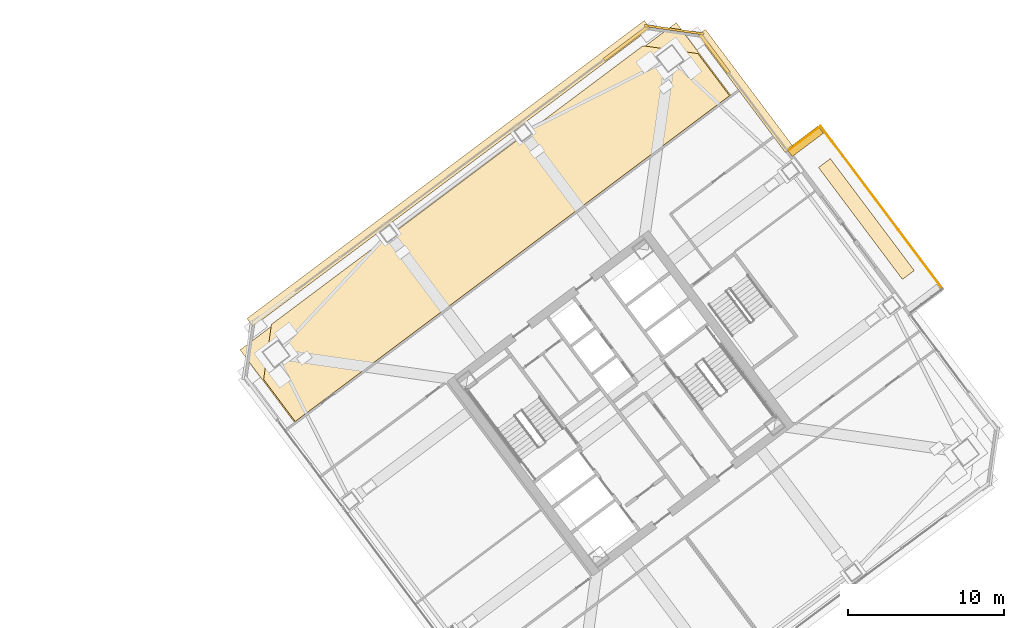
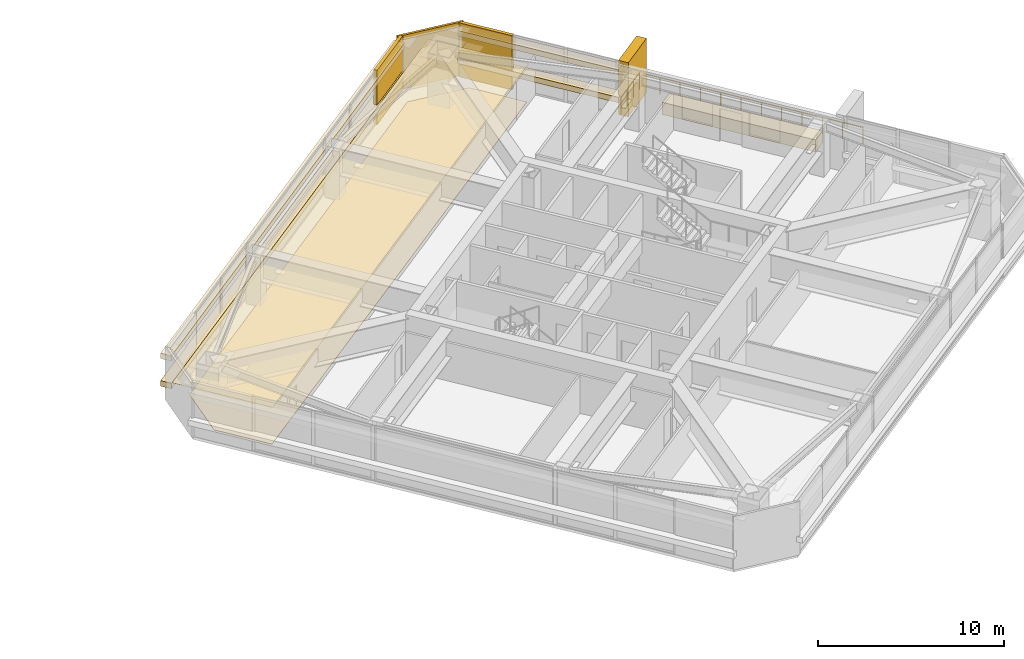
# One storey, part 42 of 42: 11 coverings, 2 railings.
"""IFC4 building model written with IfcOpenShell, lengths in metres."""

from ifc_helpers import new_model, si_unit, direction, frame, origin, origin_2d, place, context, subcontext, project, spatial, polyline, rectangle, outline, extrude, material, layer, layer_set, type_object, element, save


model = new_model("IFC4")

# Units and contexts
model_context = context("Model", 3, precision=1e-05, world=origin(), true_north=direction((0.0, 1.0)))
body_context = subcontext(model_context, "Body", "Model", "MODEL_VIEW")
ifc_project = project(units=[si_unit("LENGTHUNIT", "METRE"), si_unit("AREAUNIT", "SQUARE_METRE"), si_unit("VOLUMEUNIT", "CUBIC_METRE"), si_unit("PLANEANGLEUNIT", "RADIAN"), si_unit("MASSUNIT", "GRAM", prefix="KILO")], contexts=[model_context])

# Site, building, storey
site_placement = place(None, origin())
site = spatial("IfcSite", under=ifc_project, at=site_placement, CompositionType="ELEMENT")
building_placement = place(site_placement, origin())
building = spatial("IfcBuilding", under=site, at=building_placement, Name="Tashvorn Skyway Center", CompositionType="ELEMENT")
storey_placement = place(building_placement, frame((0.0, 0.0, 153.449951171875)))
storey = spatial("IfcBuildingStorey", under=building, at=storey_placement, Name="L41", CompositionType="ELEMENT", Elevation=153.449951171875)

# Coverings
ifc_material_1 = material(Name="Precast concrete C40/50", Category="concrete")
ifc_layer_1 = layer(ifc_material_1, 0.199951171875)
ifc_layer_set_1 = layer_set([ifc_layer_1], Name="Precast concrete C40/50")
covering_type_1 = type_object("IfcCoveringType", Name="COV-BRACE-CLAD", PredefinedType="CLADDING", material=ifc_layer_set_1)
covering_1_placement = place(storey_placement, frame((114.324462890625, 55.09326171875, 0.0), z_axis=(0.0, 0.0, 1.0), x_axis=(0.799999996291, 0.600000004945, 0.0)))
element("IfcCovering", 1, at=covering_1_placement, inside=storey, type_object=covering_type_1, Name="Tower 2 L41 North Unitised Curtain Wall Mega-Brace Cladding Band 2", PredefinedType="CLADDING", context=body_context, shape_type="SweptSolid", body=[
    extrude(rectangle(XDim=3.52880859375, YDim=0.199951171875, at=origin_2d()), origin(), (0.0, 0.0, 1.0), 3.550048828125),
])
covering_2_placement = place(storey_placement, frame((120.02392578125, 54.4345703125, 0.0), z_axis=(0.0, 0.0, 1.0), x_axis=(0.600000004945, -0.799999996291, 0.0)))
element("IfcCovering", 2, at=covering_2_placement, inside=storey, type_object=covering_type_1, Name="Tower 2 L41 East Curtain Wall L Mega-Brace Cladding Band 1", PredefinedType="CLADDING", context=body_context, shape_type="SweptSolid", body=[
    extrude(rectangle(XDim=3.09326171875, YDim=0.199951171875, at=origin_2d()), origin(), (0.0, 0.0, 1.0), 3.550048828125),
])
ifc_material_2 = material(Name="Mineral-fibre acoustic ceiling tile on suspended grid")
ifc_layer_2 = layer(ifc_material_2, 0.02001953125)
ifc_layer_set_2 = layer_set([ifc_layer_2], Name="Mineral-fibre acoustic ceiling tile on suspended grid")
covering_type_2 = type_object("IfcCoveringType", Name="COV-CEIL-20", PredefinedType="CEILING", material=ifc_layer_set_2)
covering_3_placement = place(storey_placement, frame((0.0, 0.0, 2.4931640625)))
element("IfcCovering", 3, at=covering_3_placement, inside=storey, type_object=covering_type_2, Name="Tower 2 L41 Executive Suite Acoustic Ceiling", PredefinedType="CEILING", context=body_context, shape_type="SweptSolid", body=[
    extrude(outline(polyline([(93.087890625, 30.716064453125), (121.087890625, 51.716064453125), (117.56005859375, 56.419921875), (89.56005859375, 35.419921875), (93.087890625, 30.716064453125)])), origin(), (0.0, 0.0, 1.0), 0.019775390625),
])
ifc_material_3 = material(Name="Polished Mojave desert-aggregate terrazzo and cover plate")
ifc_layer_3 = layer(ifc_material_3, 0.0400390625)
ifc_layer_set_3 = layer_set([ifc_layer_3], Name="Polished Mojave desert-aggregate terrazzo and cover plate")
covering_type_3 = type_object("IfcCoveringType", Name="COV-FLR-40", PredefinedType="FLOORING", material=ifc_layer_set_3)
covering_4_placement = place(storey_placement, origin())
element("IfcCovering", 4, at=covering_4_placement, inside=storey, type_object=covering_type_3, Name="Tower 2 L41 Executive Suite Finish Flooring", PredefinedType="FLOORING", context=body_context, shape_type="SweptSolid", body=[
    extrude(outline(polyline([(120.97607421875, 51.73193359375), (93.10400390625, 30.827880859375), (91.075927734375, 33.531982421875), (91.580078125, 37.06005859375), (115.419921875, 54.93994140625), (118.947998046875, 54.43603515625), (120.97607421875, 51.73193359375)])), origin(), (0.0, 0.0, 1.0), 0.0400390625),
])
ifc_material_4 = material(Name="Perforated ceramic-coated bronze aluminium solar screen", Category="aluminium")
ifc_layer_4 = layer(ifc_material_4, 0.85009765625)
ifc_layer_set_4 = layer_set([ifc_layer_4], Name="Perforated ceramic-coated bronze aluminium solar screen")
covering_type_4 = type_object("IfcCoveringType", Name="COV-SOLAR-BAND", PredefinedType="CLADDING", material=ifc_layer_set_4)
for number, where, z_axis, x_axis, name in (
    (5, (102.947998046875, 46.736083984375, 0.919921875), (0.0, 0.0, 1.0), (0.799999996291, 0.600000004945, 0.0), "L41 Perforated Ceramic-Metal Solar Screen Louvre Band North 1"),
    (6, (102.947998046875, 46.736083984375, 2.72021484375), (0.0, 0.0, 1.0), (0.799999996291, 0.600000004945, 0.0), "L41 Perforated Ceramic-Metal Solar Screen Louvre Band North 2"),
):
    element("IfcCovering", number, at=place(storey_placement, frame(where, z_axis=z_axis, x_axis=x_axis)), inside=storey, type_object=covering_type_4, Name=name, PredefinedType="CLADDING", context=body_context, shape_type="SweptSolid", body=[
        extrude(rectangle(XDim=31.8798828125, YDim=0.639892578125, at=origin_2d()), origin(), (0.0, 0.0, 1.0), 0.360107421875),
    ])
for number, where, z_axis, x_axis, name in (
    (7, (121.991943359375, 52.0439453125, 0.919921875), (0.0, 0.0, 1.0), (0.600000004945, -0.799999996291, 0.0), "L41 Perforated Ceramic-Metal Solar Screen Louvre Band East 1"),
    (8, (121.991943359375, 52.0439453125, 2.72021484375), (0.0, 0.0, 1.0), (0.600000004945, -0.799999996291, 0.0), "L41 Perforated Ceramic-Metal Solar Screen Louvre Band East 2"),
):
    element("IfcCovering", number, at=place(storey_placement, frame(where, z_axis=z_axis, x_axis=x_axis)), inside=storey, type_object=covering_type_4, Name=name, PredefinedType="CLADDING", context=body_context, shape_type="SweptSolid", body=[
        extrude(rectangle(XDim=9.39990234375, YDim=0.639892578125, at=origin_2d()), origin(), (0.0, 0.0, 1.0), 0.360107421875),
    ])
ifc_layer_5 = layer(ifc_material_1, 0.35009765625)
ifc_layer_set_5 = layer_set([ifc_layer_5], Name="Precast concrete C40/50")
covering_type_5 = type_object("IfcCoveringType", Name="COV-STONE-TRIM", PredefinedType="CLADDING", material=ifc_layer_set_5)
covering_5_placement = place(storey_placement, frame((125.830078125, 48.81005859375, 0.0), z_axis=(0.0, 0.0, 1.0), x_axis=(0.600000004945, -0.799999996291, 0.0)))
element("IfcCovering", 9, at=covering_5_placement, inside=storey, type_object=covering_type_5, Name="Tower 2 L41 Sky Garden Loggia Pier L", PredefinedType="CLADDING", context=body_context, shape_type="SweptSolid", body=[
    extrude(rectangle(XDim=0.580078125, YDim=2.5, at=origin_2d()), origin(), (0.0, 0.0, 1.0), 3.550048828125),
])
covering_6_placement = place(storey_placement, frame((129.760009765625, 43.820068359375, 0.0), z_axis=(0.0, 0.0, 1.0), x_axis=(0.600000004945, -0.799999996291, 0.0)))
element("IfcCovering", 10, at=covering_6_placement, inside=storey, type_object=covering_type_5, Name="Tower 2 L41 Sky Garden Stone Planter Bed", PredefinedType="CLADDING", context=body_context, shape_type="SweptSolid", body=[
    extrude(rectangle(XDim=8.97607421875, YDim=0.949951171875, at=origin_2d()), origin(), (0.0, 0.0, 1.0), 0.800048828125),
])
covering_7_placement = place(storey_placement, frame((117.424072265625, 55.968017578125, 0.02001953125), z_axis=(0.0, 0.0, 1.0), x_axis=(0.989949494535, -0.141421350118, 0.0)))
element("IfcCovering", 11, at=covering_7_placement, inside=storey, type_object=covering_type_5, Name="Tower 2 L41 NE Mojave Limestone Corner Quoin", PredefinedType="CLADDING", context=body_context, shape_type="SweptSolid", body=[
    extrude(rectangle(XDim=3.8369140625, YDim=0.139892578125, at=origin_2d()), origin(), (0.0, 0.0, 1.0), 3.510009765625),
])

# Railings
ifc_material_5 = material(Name="Galvanized steel S355", Category="steel")
railing_type = type_object("IfcRailingType", Name="RAIL-GUARD-1120", PredefinedType="GUARDRAIL", material=ifc_material_5)
railing_1_placement = place(storey_placement, frame((134.64794921875, 39.3359375, 0.0)))
element("IfcRailing", 12, at=railing_1_placement, inside=storey, type_object=railing_type, Name="L41 Tower 2 Terrace Guardrail 02", PredefinedType="GUARDRAIL", context=body_context, shape_type="SweptSolid", body=[
    extrude(rectangle(XDim=0.048095703125, YDim=0.048095703125, at=origin_2d()), frame((0.0, 0.0, 1.09619140625), z_axis=(-0.599994008843, 0.800004493333, 0.0), x_axis=(-0.800004493333, -0.599994008843, 0.0)), (0.0, 0.0, 1.0), 13.0400390625),
    extrude(rectangle(XDim=0.0419921875, YDim=0.0419921875, at=origin_2d()), origin(), (0.0, 0.0, 1.0), 1.072021484375),
    extrude(rectangle(XDim=0.0419921875, YDim=0.0419921875, at=origin_2d()), frame((-0.711181640625, 0.948486328125, 0.0)), (0.0, 0.0, 1.0), 1.072021484375),
    extrude(rectangle(XDim=0.0419921875, YDim=0.0419921875, at=origin_2d()), frame((-1.422607421875, 1.896728515625, 0.0)), (0.0, 0.0, 1.0), 1.072021484375),
    extrude(rectangle(XDim=0.0419921875, YDim=0.0419921875, at=origin_2d()), frame((-2.1337890625, 2.84521484375, 0.0)), (0.0, 0.0, 1.0), 1.072021484375),
    extrude(rectangle(XDim=0.0419921875, YDim=0.0419921875, at=origin_2d()), frame((-2.844970703125, 3.79345703125, 0.0)), (0.0, 0.0, 1.0), 1.072021484375),
    extrude(rectangle(XDim=0.0419921875, YDim=0.0419921875, at=origin_2d()), frame((-3.556396484375, 4.741943359375, 0.0)), (0.0, 0.0, 1.0), 1.072021484375),
    extrude(rectangle(XDim=0.0419921875, YDim=0.0419921875, at=origin_2d()), frame((-4.267578125, 5.690185546875, 0.0)), (0.0, 0.0, 1.0), 1.072021484375),
    extrude(rectangle(XDim=0.0419921875, YDim=0.0419921875, at=origin_2d()), frame((-4.97900390625, 6.638671875, 0.0)), (0.0, 0.0, 1.0), 1.072021484375),
    extrude(rectangle(XDim=0.0419921875, YDim=0.0419921875, at=origin_2d()), frame((-5.690185546875, 7.5869140625, 0.0)), (0.0, 0.0, 1.0), 1.072021484375),
    extrude(rectangle(XDim=0.0419921875, YDim=0.0419921875, at=origin_2d()), frame((-6.4013671875, 8.535400390625, 0.0)), (0.0, 0.0, 1.0), 1.072021484375),
    extrude(rectangle(XDim=0.0419921875, YDim=0.0419921875, at=origin_2d()), frame((-7.11279296875, 9.483642578125, 0.0)), (0.0, 0.0, 1.0), 1.072021484375),
    extrude(rectangle(XDim=0.0419921875, YDim=0.0419921875, at=origin_2d()), frame((-7.823974609375, 10.43212890625, 0.0)), (0.0, 0.0, 1.0), 1.072021484375),
])
railing_2_placement = place(storey_placement, frame((126.823974609375, 49.76806640625, 0.0)))
element("IfcRailing", 13, at=railing_2_placement, inside=storey, type_object=railing_type, Name="L41 Tower 2 Terrace Guardrail 03", PredefinedType="GUARDRAIL", context=body_context, shape_type="SweptSolid", body=[
    extrude(rectangle(XDim=0.048095703125, YDim=0.048095703125, at=origin_2d()), frame((0.0, 0.0, 1.09619140625), z_axis=(-0.79998837352, -0.60001550166, 0.0), x_axis=(0.60001550166, -0.79998837352, 0.0)), (0.0, 0.0, 1.0), 2.519775390625),
    extrude(rectangle(XDim=0.0419921875, YDim=0.0419921875, at=origin_2d()), origin(), (0.0, 0.0, 1.0), 1.072021484375),
    extrude(rectangle(XDim=0.0419921875, YDim=0.0419921875, at=origin_2d()), frame((-0.671875, -0.50390625, 0.0)), (0.0, 0.0, 1.0), 1.072021484375),
    extrude(rectangle(XDim=0.0419921875, YDim=0.0419921875, at=origin_2d()), frame((-1.343994140625, -1.008056640625, 0.0)), (0.0, 0.0, 1.0), 1.072021484375),
    extrude(rectangle(XDim=0.0419921875, YDim=0.0419921875, at=origin_2d()), frame((-2.015869140625, -1.511962890625, 0.0)), (0.0, 0.0, 1.0), 1.072021484375),
])

save(model, "model.ifc")
